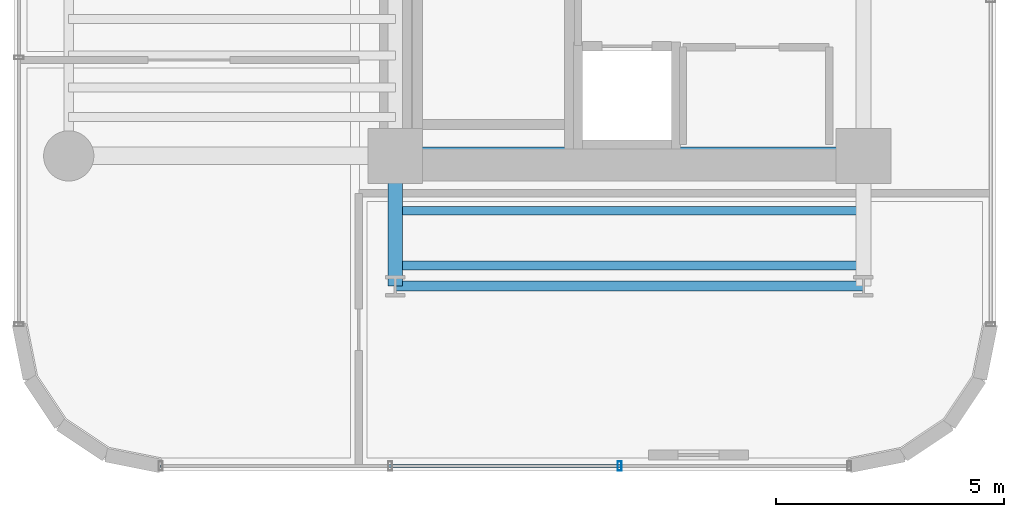
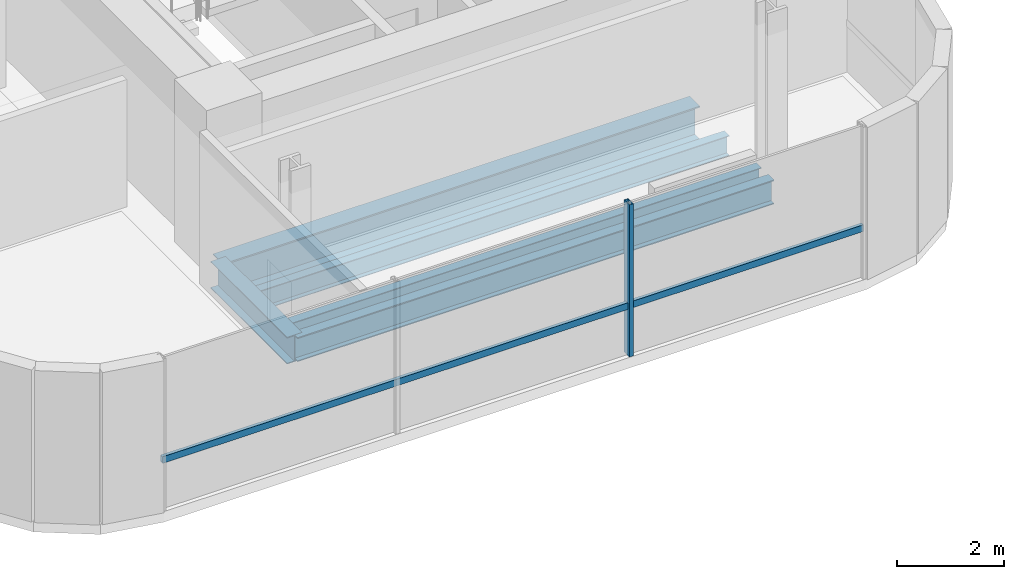
# One storey, part 3 of 34: 5 beams, 2 members, 1 element without a shape of its own.
"""IFC4 building model written with IfcOpenShell, lengths in metres."""

from ifc_helpers import new_model, si_unit, direction, frame, origin, origin_2d, place, context, subcontext, project, spatial, hollow_rectangle, i_section, extrude, source, transform, mapped, material, material_profile, profile_set, type_object, element, aggregate, save


model = new_model("IFC4")

# Units and contexts
model_context = context("Model", 3, precision=1e-05, world=origin(), true_north=direction((0.0, 1.0)))
body_context = subcontext(model_context, "Body", "Model", "MODEL_VIEW")
ifc_project = project(units=[si_unit("LENGTHUNIT", "METRE"), si_unit("AREAUNIT", "SQUARE_METRE"), si_unit("VOLUMEUNIT", "CUBIC_METRE"), si_unit("PLANEANGLEUNIT", "RADIAN"), si_unit("MASSUNIT", "GRAM", prefix="KILO")], contexts=[model_context])

# Site, building, storey
site_placement = place(None, origin())
site = spatial("IfcSite", under=ifc_project, at=site_placement, CompositionType="ELEMENT")
building_placement = place(site_placement, origin())
building = spatial("IfcBuilding", under=site, at=building_placement, Name="Valdorenza Pilgrim Sanctuary Tower", CompositionType="ELEMENT")
storey_placement = place(building_placement, frame((0.0, 0.0, 142.699951171875)))
storey = spatial("IfcBuildingStorey", under=building, at=storey_placement, Name="L36", CompositionType="ELEMENT", Elevation=142.699951171875)

# Beams
ifc_material_1 = material(Name="Steel ASTM A992 Grade 50", Category="steel")
ifc_material_profile_1 = material_profile(ifc_material_1, i_section(OverallWidth=0.214111328125, OverallDepth=0.549072265625, WebThickness=0.0146484375, FlangeThickness=0.023681640625, at=origin_2d()), Name="W21X93")
ifc_profile_set_1 = profile_set([ifc_material_profile_1], Name="Steel ASTM A992 Grade 50")
beam_type_1 = type_object("IfcBeamType", Name="STR-BM-SPN-W21A", PredefinedType="SPANDREL", material=ifc_profile_set_1)
shared_shape_1 = source(origin(), body_context, "Body", "SweptSolid", [
    extrude(i_section(OverallWidth=0.214111328125, OverallDepth=0.549072265625, WebThickness=0.0146484375, FlangeThickness=0.023681640625, at=origin_2d()), origin(), (0.0, 0.0, 1.0), 10.25),
])
beam_1_placement = place(storey_placement, frame((-22.64990234375, -13.449951171875, -0.514404296875), z_axis=(1.0, 0.0, 0.0), x_axis=(0.0, 1.0, 0.0)))
element("IfcBeam", 1, at=beam_1_placement, inside=storey, type_object=beam_type_1, Name="L36 South Spandrel WA-S-TIE", PredefinedType="SPANDREL", context=body_context, shape_type="MappedRepresentation", body=[
    mapped(shared_shape_1, transform((0.0, 0.0, 0.0), x_axis=(1.0, 0.0, 0.0), y_axis=(0.0, 1.0, 0.0), z_axis=(0.0, 0.0, 1.0), scale=1.0)),
])
ifc_material_profile_2 = material_profile(ifc_material_1, i_section(OverallWidth=0.323974609375, OverallDepth=0.611083984375, WebThickness=0.0126953125, FlangeThickness=0.01904296875, at=origin_2d()), Name="W24X104")
ifc_profile_set_2 = profile_set([ifc_material_profile_2], Name="Steel ASTM A992 Grade 50")
beam_type_2 = type_object("IfcBeamType", Name="STR-BM-GRD-W24B", PredefinedType="BEAM", material=ifc_profile_set_2)
shared_shape_2 = source(origin(), body_context, "Body", "SweptSolid", [
    extrude(i_section(OverallWidth=0.323974609375, OverallDepth=0.611083984375, WebThickness=0.0126953125, FlangeThickness=0.01904296875, at=origin_2d()), origin(), (0.0, 0.0, 1.0), 2.849853515625),
])
beam_2_placement = place(storey_placement, frame((-22.64990234375, -13.449951171875, -0.54541015625), z_axis=(0.0, 1.0, 0.0), x_axis=(-1.0, 0.0, 0.0)))
element("IfcBeam", 2, at=beam_2_placement, inside=storey, type_object=beam_type_2, Name="L36 Floor Girder WA-S-LW", PredefinedType="BEAM", context=body_context, shape_type="MappedRepresentation", body=[
    mapped(shared_shape_2, transform((0.0, 0.0, 0.0), x_axis=(1.0, 0.0, 0.0), y_axis=(0.0, 1.0, 0.0), z_axis=(0.0, 0.0, 1.0), scale=1.0)),
])
ifc_material_profile_3 = material_profile(ifc_material_1, i_section(OverallWidth=0.382080078125, OverallDepth=0.779052734375, WebThickness=0.01806640625, FlangeThickness=0.030029296875, at=origin_2d()), Name="W30X191")
ifc_profile_set_3 = profile_set([ifc_material_profile_3], Name="Steel ASTM A992 Grade 50")
beam_type_3 = type_object("IfcBeamType", Name="STR-BM-GRD-W30", PredefinedType="BEAM", material=ifc_profile_set_3)
shared_shape_3 = source(origin(), body_context, "Body", "SweptSolid", [
    extrude(i_section(OverallWidth=0.382080078125, OverallDepth=0.779052734375, WebThickness=0.01806640625, FlangeThickness=0.030029296875, at=origin_2d()), origin(), (0.0, 0.0, 1.0), 10.25),
])
beam_3_placement = place(storey_placement, frame((-22.64990234375, -10.60009765625, -0.62939453125), z_axis=(1.0, 0.0, 0.0), x_axis=(0.0, 1.0, 0.0)))
element("IfcBeam", 3, at=beam_3_placement, inside=storey, type_object=beam_type_3, Name="L36 Floor Girder CA-XC-S1", PredefinedType="BEAM", context=body_context, shape_type="MappedRepresentation", body=[
    mapped(shared_shape_3, transform((0.0, 0.0, 0.0), x_axis=(1.0, 0.0, 0.0), y_axis=(0.0, 1.0, 0.0), z_axis=(0.0, 0.0, 1.0), scale=1.0)),
])
ifc_material_profile_4 = material_profile(ifc_material_1, i_section(OverallWidth=0.19091796875, OverallDepth=0.45703125, WebThickness=0.009033203125, FlangeThickness=0.014404296875, at=origin_2d()), Name="W18X50")
ifc_profile_set_4 = profile_set([ifc_material_profile_4], Name="Steel ASTM A992 Grade 50")
beam_type_4 = type_object("IfcBeamType", Name="STR-BM-JST-W18B", PredefinedType="JOIST", material=ifc_profile_set_4)
shared_shape_4 = source(origin(), body_context, "Body", "SweptSolid", [
    extrude(i_section(OverallWidth=0.19091796875, OverallDepth=0.45703125, WebThickness=0.009033203125, FlangeThickness=0.014404296875, at=origin_2d()), origin(), (0.0, 0.0, 1.0), 10.25),
])
for number, where, z_axis, x_axis, name in (
    (4, (-22.64990234375, -13.0, -0.468505859375), (1.0, 0.0, 0.0), (0.0, 1.0, 0.0), "L36 Composite Floor Joist JST-WAS-1"),
    (5, (-22.64990234375, -11.800048828125, -0.468505859375), (1.0, 0.0, 0.0), (0.0, 1.0, 0.0), "L36 Composite Floor Joist JST-WAS-2"),
):
    element("IfcBeam", number, at=place(storey_placement, frame(where, z_axis=z_axis, x_axis=x_axis)), inside=storey, type_object=beam_type_4, Name=name, PredefinedType="JOIST", context=body_context, shape_type="MappedRepresentation", body=[
        mapped(shared_shape_4, transform((0.0, 0.0, 0.0), x_axis=(1.0, 0.0, 0.0), y_axis=(0.0, 1.0, 0.0), z_axis=(0.0, 0.0, 1.0), scale=1.0)),
    ])

# Curtain wall, members
ifc_material_2 = material(Name="Curtain-wall IGU glazing", Category="glass")
curtain_wall_type = type_object("IfcCurtainWallType", Name="CW-SYS-02", PredefinedType="NOTDEFINED", material=ifc_material_2)
curtain_wall_placement = place(storey_placement, origin())
curtain_wall = element("IfcCurtainWall", 6, at=curtain_wall_placement, inside=storey, type_object=curtain_wall_type, Name="L36 Curtain Wall CW-L36-1-46", PredefinedType="NOTDEFINED")
ifc_material_3 = material(Name="Anodised aluminium AW-6060", Category="aluminium")
ifc_material_profile_5 = material_profile(ifc_material_3, hollow_rectangle(XDim=0.0849609375, YDim=0.199951171875, WallThickness=0.0048828125, at=origin_2d()), Name="ALU-M 200x85x5")
ifc_profile_set_5 = profile_set([ifc_material_profile_5], Name="Anodised aluminium AW-6060")
member_type_1 = type_object("IfcMemberType", Name="CW-MUL-02", PredefinedType="MULLION", material=ifc_profile_set_5)
shared_shape_5 = source(origin(), body_context, "Body", "SweptSolid", [
    extrude(hollow_rectangle(XDim=0.0849609375, YDim=0.199951171875, WallThickness=0.0048828125, at=origin_2d()), origin(), (0.0, 0.0, 1.0), 3.4599609375),
])
member_1_placement = place(storey_placement, frame((-17.73681640625, -17.389892578125, 0.0), z_axis=(0.0, 0.0, 1.0), x_axis=(-1.0, 0.0, 0.0)))
member_1 = element("IfcMember", 7, at=member_1_placement, type_object=member_type_1, Name="CW-L36-1-46 Mullion 2", PredefinedType="MULLION", context=body_context, shape_type="MappedRepresentation", body=[
    mapped(shared_shape_5, transform((0.0, 0.0, 0.0), x_axis=(1.0, 0.0, 0.0), y_axis=(0.0, 1.0, 0.0), z_axis=(0.0, 0.0, 1.0), scale=1.0)),
])
ifc_material_profile_6 = material_profile(ifc_material_3, hollow_rectangle(XDim=0.074951171875, YDim=0.14990234375, WallThickness=0.00390625, at=origin_2d()), Name="ALU-T 150x75x4")
ifc_profile_set_6 = profile_set([ifc_material_profile_6], Name="Anodised aluminium AW-6060")
member_type_2 = type_object("IfcMemberType", Name="CW-TRN-02", PredefinedType="USERDEFINED", material=ifc_profile_set_6)
shared_shape_6 = source(origin(), body_context, "Body", "SweptSolid", [
    extrude(hollow_rectangle(XDim=0.074951171875, YDim=0.14990234375, WallThickness=0.00390625, at=origin_2d()), origin(), (0.0, 0.0, 1.0), 15.07861328125),
])
member_2_placement = place(storey_placement, frame((-12.710693359375, -17.389892578125, 1.1201171875), z_axis=(-1.0, 0.0, 0.0), x_axis=(0.0, -1.0, 0.0)))
member_2 = element("IfcMember", 8, at=member_2_placement, type_object=member_type_2, Name="CW-L36-1-46 Transom 1", ObjectType="TRANSOM", PredefinedType="USERDEFINED", context=body_context, shape_type="MappedRepresentation", body=[
    mapped(shared_shape_6, transform((0.0, 0.0, 0.0), x_axis=(1.0, 0.0, 0.0), y_axis=(0.0, 1.0, 0.0), z_axis=(0.0, 0.0, 1.0), scale=1.0)),
])
aggregate(curtain_wall, [member_1, member_2])

save(model, "model.ifc")
